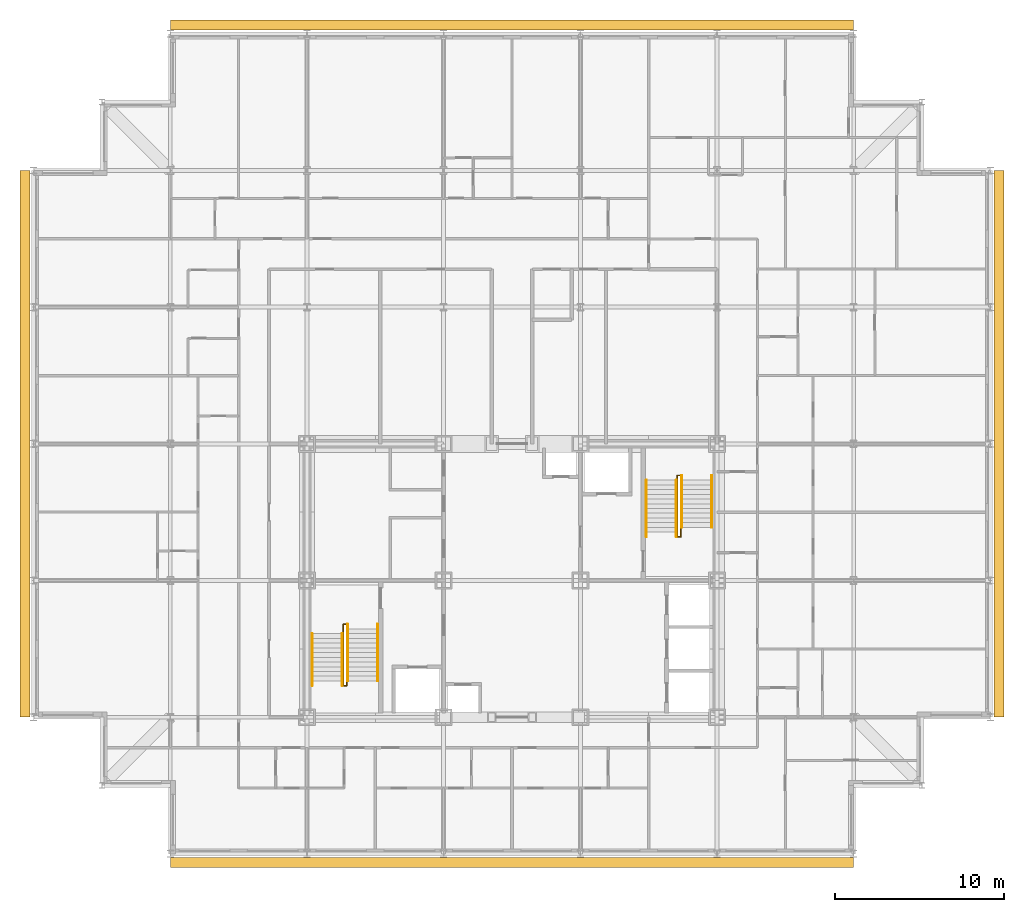
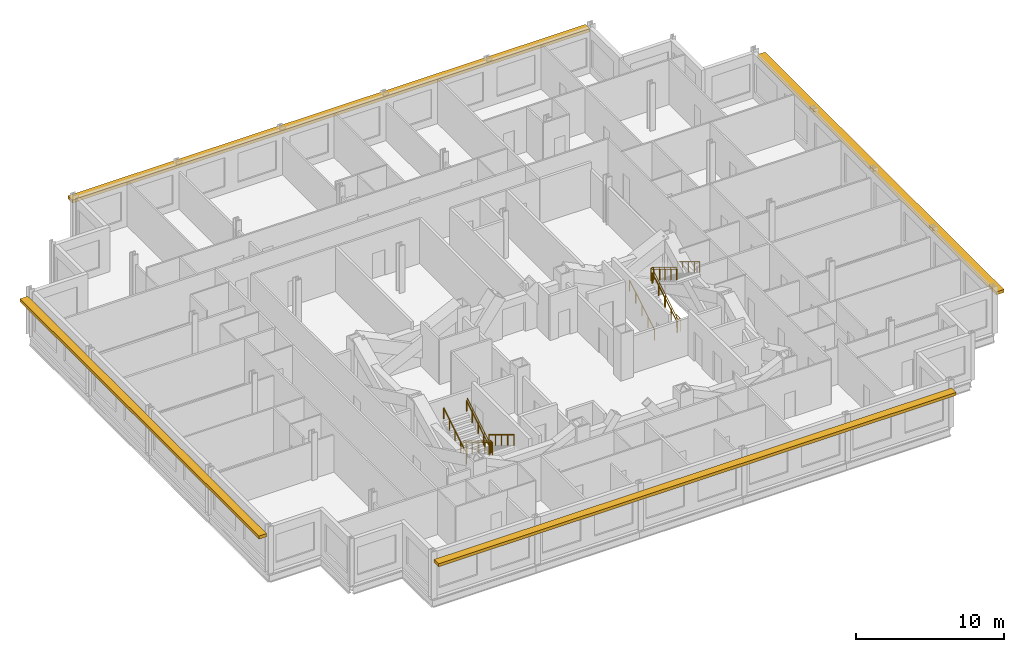
# One storey, part 15 of 15: 10 railings, 4 shading devices.
"""IFC4 building model written with IfcOpenShell, lengths in metres."""

from ifc_helpers import new_model, si_unit, direction, frame, origin, origin_2d, place, context, subcontext, project, spatial, rectangle, circle, extrude, material, type_object, element, save


model = new_model("IFC4")

# Units and contexts
model_context = context("Model", 3, precision=1e-05, world=origin(), true_north=direction((0.0, 1.0)))
body_context = subcontext(model_context, "Body", "Model", "MODEL_VIEW")
ifc_project = project(units=[si_unit("LENGTHUNIT", "METRE"), si_unit("AREAUNIT", "SQUARE_METRE"), si_unit("VOLUMEUNIT", "CUBIC_METRE"), si_unit("PLANEANGLEUNIT", "RADIAN"), si_unit("MASSUNIT", "GRAM", prefix="KILO")], contexts=[model_context])

# Site, building, storey
site_placement = place(None, origin())
site = spatial("IfcSite", under=ifc_project, at=site_placement, CompositionType="ELEMENT")
building_placement = place(site_placement, origin())
building = spatial("IfcBuilding", under=site, at=building_placement, Name="Kopane Lantern Tower", CompositionType="ELEMENT")
storey_placement = place(building_placement, frame((0.0, 0.0, 254.10009765625)))
storey = spatial("IfcBuildingStorey", under=building, at=storey_placement, Name="L65", CompositionType="ELEMENT", Elevation=254.10009765625)

# Railings
ifc_material_1 = material(Name="Steel", Category="steel")
railing_type_1 = type_object("IfcRailingType", Name="STAIR GUARD 1100", PredefinedType="GUARDRAIL", material=ifc_material_1)
railing_1_placement = place(storey_placement, frame((18.35009765625, 29.25, 0.0)))
element("IfcRailing", 1, at=railing_1_placement, inside=storey, type_object=railing_type_1, Name="ST1 well guard L65", PredefinedType="GUARDRAIL", context=body_context, shape_type="SweptSolid", body=[
    extrude(circle(Radius=0.02392578125, at=origin_2d()), frame((0.0, 0.0, 1.076171875), z_axis=(0.0, 1.0, 0.0), x_axis=(-1.0, 0.0, 0.0)), (0.0, 0.0, 1.0), 0.56005859375),
    extrude(circle(Radius=0.02392578125, at=origin_2d()), frame((0.0, 0.56005859375, 1.076171875), z_axis=(1.0, 0.0, 0.0), x_axis=(0.0, 1.0, 0.0)), (0.0, 0.0, 1.0), 0.199951171875),
    extrude(circle(Radius=0.02392578125, at=origin_2d()), frame((0.199951171875, 0.56005859375, 1.076171875), z_axis=(0.0, -0.85539645441, 0.517973846621), x_axis=(1.0, 0.0, 0.0)), (0.0, 0.0, 1.0), 3.92822265625),
    extrude(circle(Radius=0.02392578125, at=origin_2d()), frame((0.199951171875, -2.800048828125, 3.11083984375), z_axis=(0.0, -1.0, 0.0), x_axis=(1.0, 0.0, 0.0)), (0.0, 0.0, 1.0), 0.280029296875),
    extrude(circle(Radius=0.02392578125, at=origin_2d()), frame((0.199951171875, -3.080078125, 3.11083984375), z_axis=(-1.0, 0.0, 0.0), x_axis=(0.0, -1.0, 0.0)), (0.0, 0.0, 1.0), 0.199951171875),
    extrude(circle(Radius=0.02392578125, at=origin_2d()), frame((0.0, -3.080078125, 3.11083984375), z_axis=(0.0, 0.855379917629, 0.518001154937), x_axis=(-1.0, 0.0, 0.0)), (0.0, 0.0, 1.0), 3.600830078125),
    extrude(circle(Radius=0.02099609375, at=origin_2d()), origin(), (0.0, 0.0, 1.0), 1.052001953125),
    extrude(circle(Radius=0.02099609375, at=origin_2d()), frame((0.0, 0.56005859375, 0.0)), (0.0, 0.0, 1.0), 1.052001953125),
    extrude(circle(Radius=0.02099609375, at=origin_2d()), frame((0.199951171875, 0.56005859375, 0.0)), (0.0, 0.0, 1.0), 1.052001953125),
    extrude(circle(Radius=0.02099609375, at=origin_2d()), frame((0.199951171875, -0.280029296875, 0.5087890625)), (0.0, 0.0, 1.0), 1.052001953125),
    extrude(circle(Radius=0.02099609375, at=origin_2d()), frame((0.199951171875, -1.1201171875, 1.017333984375)), (0.0, 0.0, 1.0), 1.052001953125),
    extrude(circle(Radius=0.02099609375, at=origin_2d()), frame((0.199951171875, -1.9599609375, 1.52587890625)), (0.0, 0.0, 1.0), 1.052001953125),
    extrude(circle(Radius=0.02099609375, at=origin_2d()), frame((0.199951171875, -2.800048828125, 2.03466796875)), (0.0, 0.0, 1.0), 1.052001953125),
    extrude(circle(Radius=0.02099609375, at=origin_2d()), frame((0.199951171875, -3.080078125, 2.03466796875)), (0.0, 0.0, 1.0), 1.052001953125),
    extrude(circle(Radius=0.02099609375, at=origin_2d()), frame((0.0, -3.080078125, 2.03466796875)), (0.0, 0.0, 1.0), 1.052001953125),
    extrude(circle(Radius=0.02099609375, at=origin_2d()), frame((0.0, -2.31005859375, 2.5009765625)), (0.0, 0.0, 1.0), 1.052001953125),
    extrude(circle(Radius=0.02099609375, at=origin_2d()), frame((0.0, -1.5400390625, 2.96728515625)), (0.0, 0.0, 1.0), 1.052001953125),
    extrude(circle(Radius=0.02099609375, at=origin_2d()), frame((0.0, -0.77001953125, 3.43359375)), (0.0, 0.0, 1.0), 1.052001953125),
    extrude(circle(Radius=0.02099609375, at=origin_2d()), frame((0.0, 0.0, 3.89990234375)), (0.0, 0.0, 1.0), 1.052001953125),
])
railing_2_placement = place(storey_placement, frame((38.35009765625, 35.550048828125, 0.0)))
element("IfcRailing", 2, at=railing_2_placement, inside=storey, type_object=railing_type_1, Name="ST2 well guard L65", PredefinedType="GUARDRAIL", context=body_context, shape_type="SweptSolid", body=[
    extrude(circle(Radius=0.02392578125, at=origin_2d()), frame((0.0, 0.0, 1.076171875), z_axis=(0.0, -1.0, 0.0), x_axis=(1.0, 0.0, 0.0)), (0.0, 0.0, 1.0), 0.56005859375),
    extrude(circle(Radius=0.02392578125, at=origin_2d()), frame((0.0, -0.56005859375, 1.076171875), z_axis=(-1.0, 0.0, 0.0), x_axis=(0.0, -1.0, 0.0)), (0.0, 0.0, 1.0), 0.2001953125),
    extrude(circle(Radius=0.02392578125, at=origin_2d()), frame((-0.2001953125, -0.56005859375, 1.076171875), z_axis=(0.0, 0.85539645441, 0.517973846621), x_axis=(-1.0, 0.0, 0.0)), (0.0, 0.0, 1.0), 3.92822265625),
    extrude(circle(Radius=0.02392578125, at=origin_2d()), frame((-0.2001953125, 2.800048828125, 3.11083984375), z_axis=(0.0, 1.0, 0.0), x_axis=(-1.0, 0.0, 0.0)), (0.0, 0.0, 1.0), 0.27978515625),
    extrude(circle(Radius=0.02392578125, at=origin_2d()), frame((-0.2001953125, 3.079833984375, 3.11083984375), z_axis=(1.0, 0.0, 0.0), x_axis=(0.0, 1.0, 0.0)), (0.0, 0.0, 1.0), 0.2001953125),
    extrude(circle(Radius=0.02392578125, at=origin_2d()), frame((0.0, 3.079833984375, 3.11083984375), z_axis=(0.0, -0.855361723277, 0.518031198243), x_axis=(1.0, 0.0, 0.0)), (0.0, 0.0, 1.0), 3.6005859375),
    extrude(circle(Radius=0.02099609375, at=origin_2d()), origin(), (0.0, 0.0, 1.0), 1.052001953125),
    extrude(circle(Radius=0.02099609375, at=origin_2d()), frame((0.0, -0.56005859375, 0.0)), (0.0, 0.0, 1.0), 1.052001953125),
    extrude(circle(Radius=0.02099609375, at=origin_2d()), frame((-0.2001953125, -0.56005859375, 0.0)), (0.0, 0.0, 1.0), 1.052001953125),
    extrude(circle(Radius=0.02099609375, at=origin_2d()), frame((-0.2001953125, 0.280029296875, 0.5087890625)), (0.0, 0.0, 1.0), 1.052001953125),
    extrude(circle(Radius=0.02099609375, at=origin_2d()), frame((-0.2001953125, 1.1201171875, 1.017333984375)), (0.0, 0.0, 1.0), 1.052001953125),
    extrude(circle(Radius=0.02099609375, at=origin_2d()), frame((-0.2001953125, 1.9599609375, 1.52587890625)), (0.0, 0.0, 1.0), 1.052001953125),
    extrude(circle(Radius=0.02099609375, at=origin_2d()), frame((-0.2001953125, 2.800048828125, 2.03466796875)), (0.0, 0.0, 1.0), 1.052001953125),
    extrude(circle(Radius=0.02099609375, at=origin_2d()), frame((-0.2001953125, 3.079833984375, 2.03466796875)), (0.0, 0.0, 1.0), 1.052001953125),
    extrude(circle(Radius=0.02099609375, at=origin_2d()), frame((0.0, 3.079833984375, 2.03466796875)), (0.0, 0.0, 1.0), 1.052001953125),
    extrude(circle(Radius=0.02099609375, at=origin_2d()), frame((0.0, 2.309814453125, 2.5009765625)), (0.0, 0.0, 1.0), 1.052001953125),
    extrude(circle(Radius=0.02099609375, at=origin_2d()), frame((0.0, 1.5400390625, 2.96728515625)), (0.0, 0.0, 1.0), 1.052001953125),
    extrude(circle(Radius=0.02099609375, at=origin_2d()), frame((0.0, 0.77001953125, 3.43359375)), (0.0, 0.0, 1.0), 1.052001953125),
    extrude(circle(Radius=0.02099609375, at=origin_2d()), frame((0.0, 0.0, 3.89990234375)), (0.0, 0.0, 1.0), 1.052001953125),
])
ifc_material_2 = material(Name="Steel", Category="steel")
railing_type_2 = type_object("IfcRailingType", Name="STAIR HANDRAIL 900", PredefinedType="HANDRAIL", material=ifc_material_2)
for number, where, name in (
    (3, (20.389892578125, 29.81005859375, 0.0), "ST1 handrail L65 flight 1"),
    (4, (18.610107421875, 29.81005859375, 0.0), "ST1 handrail L65 flight 1"),
):
    element("IfcRailing", number, at=place(storey_placement, frame(where)), inside=storey, type_object=railing_type_2, Name=name, PredefinedType="HANDRAIL", context=body_context, shape_type="SweptSolid", body=[
        extrude(circle(Radius=0.02392578125, at=origin_2d()), frame((0.0, 0.0, 0.8759765625), z_axis=(0.0, -0.85539645441, 0.517973846621), x_axis=(1.0, 0.0, 0.0)), (0.0, 0.0, 1.0), 3.92822265625),
        extrude(circle(Radius=0.02099609375, at=origin_2d()), origin(), (0.0, 0.0, 1.0), 0.851806640625),
        extrude(circle(Radius=0.02099609375, at=origin_2d()), frame((0.0, -0.840087890625, 0.5087890625)), (0.0, 0.0, 1.0), 0.851806640625),
        extrude(circle(Radius=0.02099609375, at=origin_2d()), frame((0.0, -1.68017578125, 1.017333984375)), (0.0, 0.0, 1.0), 0.851806640625),
        extrude(circle(Radius=0.02099609375, at=origin_2d()), frame((0.0, -2.52001953125, 1.52587890625)), (0.0, 0.0, 1.0), 0.851806640625),
        extrude(circle(Radius=0.02099609375, at=origin_2d()), frame((0.0, -3.360107421875, 2.03466796875)), (0.0, 0.0, 1.0), 0.851806640625),
    ])
for number, where, name in (
    (5, (16.510009765625, 26.169921875, 2.03466796875), "ST1 handrail L65 flight 2"),
    (6, (18.2900390625, 26.169921875, 2.03466796875), "ST1 handrail L65 flight 2"),
):
    element("IfcRailing", number, at=place(storey_placement, frame(where)), inside=storey, type_object=railing_type_2, Name=name, PredefinedType="HANDRAIL", context=body_context, shape_type="SweptSolid", body=[
        extrude(circle(Radius=0.02392578125, at=origin_2d()), frame((0.0, 0.0, 0.8759765625), z_axis=(0.0, 0.855379917629, 0.518001154937), x_axis=(-1.0, 0.0, 0.0)), (0.0, 0.0, 1.0), 3.600830078125),
        extrude(circle(Radius=0.02099609375, at=origin_2d()), origin(), (0.0, 0.0, 1.0), 0.851806640625),
        extrude(circle(Radius=0.02099609375, at=origin_2d()), frame((0.0, 0.77001953125, 0.46630859375)), (0.0, 0.0, 1.0), 0.851806640625),
        extrude(circle(Radius=0.02099609375, at=origin_2d()), frame((0.0, 1.5400390625, 0.9326171875)), (0.0, 0.0, 1.0), 0.851806640625),
        extrude(circle(Radius=0.02099609375, at=origin_2d()), frame((0.0, 2.31005859375, 1.39892578125)), (0.0, 0.0, 1.0), 0.851806640625),
        extrude(circle(Radius=0.02099609375, at=origin_2d()), frame((0.0, 3.080078125, 1.865234375)), (0.0, 0.0, 1.0), 0.851806640625),
    ])
for number, where, name in (
    (7, (36.31005859375, 34.989990234375, 0.0), "ST2 handrail L65 flight 1"),
    (8, (38.090087890625, 34.989990234375, 0.0), "ST2 handrail L65 flight 1"),
):
    element("IfcRailing", number, at=place(storey_placement, frame(where)), inside=storey, type_object=railing_type_2, Name=name, PredefinedType="HANDRAIL", context=body_context, shape_type="SweptSolid", body=[
        extrude(circle(Radius=0.02392578125, at=origin_2d()), frame((0.0, 0.0, 0.8759765625), z_axis=(0.0, 0.85539645441, 0.517973846621), x_axis=(-1.0, 0.0, 0.0)), (0.0, 0.0, 1.0), 3.92822265625),
        extrude(circle(Radius=0.02099609375, at=origin_2d()), origin(), (0.0, 0.0, 1.0), 0.851806640625),
        extrude(circle(Radius=0.02099609375, at=origin_2d()), frame((0.0, 0.840087890625, 0.5087890625)), (0.0, 0.0, 1.0), 0.851806640625),
        extrude(circle(Radius=0.02099609375, at=origin_2d()), frame((0.0, 1.68017578125, 1.017333984375)), (0.0, 0.0, 1.0), 0.851806640625),
        extrude(circle(Radius=0.02099609375, at=origin_2d()), frame((0.0, 2.52001953125, 1.52587890625)), (0.0, 0.0, 1.0), 0.851806640625),
        extrude(circle(Radius=0.02099609375, at=origin_2d()), frame((0.0, 3.360107421875, 2.03466796875)), (0.0, 0.0, 1.0), 0.851806640625),
    ])
for number, where, name in (
    (9, (40.18994140625, 38.6298828125, 2.03466796875), "ST2 handrail L65 flight 2"),
    (10, (38.409912109375, 38.6298828125, 2.03466796875), "ST2 handrail L65 flight 2"),
):
    element("IfcRailing", number, at=place(storey_placement, frame(where)), inside=storey, type_object=railing_type_2, Name=name, PredefinedType="HANDRAIL", context=body_context, shape_type="SweptSolid", body=[
        extrude(circle(Radius=0.02392578125, at=origin_2d()), frame((0.0, 0.0, 0.8759765625), z_axis=(0.0, -0.855361723277, 0.518031198243), x_axis=(1.0, 0.0, 0.0)), (0.0, 0.0, 1.0), 3.6005859375),
        extrude(circle(Radius=0.02099609375, at=origin_2d()), origin(), (0.0, 0.0, 1.0), 0.851806640625),
        extrude(circle(Radius=0.02099609375, at=origin_2d()), frame((0.0, -0.77001953125, 0.46630859375)), (0.0, 0.0, 1.0), 0.851806640625),
        extrude(circle(Radius=0.02099609375, at=origin_2d()), frame((0.0, -1.5400390625, 0.9326171875)), (0.0, 0.0, 1.0), 0.851806640625),
        extrude(circle(Radius=0.02099609375, at=origin_2d()), frame((0.0, -2.309814453125, 1.39892578125)), (0.0, 0.0, 1.0), 0.851806640625),
        extrude(circle(Radius=0.02099609375, at=origin_2d()), frame((0.0, -3.079833984375, 1.865234375)), (0.0, 0.0, 1.0), 0.851806640625),
    ])

# Shading devices
ifc_material_3 = material(Name="Terracotta rainscreen on light steel framing", Category="masonry")
shading_device_type = type_object("IfcShadingDeviceType", Name="SUNSHADE BAND SB1 600 TERRACOTTA", PredefinedType="USERDEFINED", material=ifc_material_3)
shading_device_1_placement = place(storey_placement, frame((28.35009765625, 15.681640625, 3.0), z_axis=(0.0, 0.0, 1.0), x_axis=(1.0, 0.0, 0.0)))
element("IfcShadingDevice", 11, at=shading_device_1_placement, inside=storey, type_object=shading_device_type, Name="Sunshade band S L65", ObjectType="SUNSHADE BAND", PredefinedType="USERDEFINED", context=body_context, shape_type="SweptSolid", body=[
    extrude(rectangle(XDim=40.5, YDim=0.60009765625, at=origin_2d()), origin(), (0.0, 0.0, 1.0), 0.25),
])
shading_device_2_placement = place(storey_placement, frame((57.2060546875, 40.5, 3.0), z_axis=(0.0, 0.0, 1.0), x_axis=(0.0, 1.0, 0.0)))
element("IfcShadingDevice", 12, at=shading_device_2_placement, inside=storey, type_object=shading_device_type, Name="Sunshade band E L65", ObjectType="SUNSHADE BAND", PredefinedType="USERDEFINED", context=body_context, shape_type="SweptSolid", body=[
    extrude(rectangle(XDim=32.39990234375, YDim=0.60009765625, at=origin_2d()), origin(), (0.0, 0.0, 1.0), 0.25),
])
shading_device_3_placement = place(storey_placement, frame((28.35009765625, 65.318359375, 3.0), z_axis=(0.0, 0.0, 1.0), x_axis=(-1.0, 0.0, 0.0)))
element("IfcShadingDevice", 13, at=shading_device_3_placement, inside=storey, type_object=shading_device_type, Name="Sunshade band N L65", ObjectType="SUNSHADE BAND", PredefinedType="USERDEFINED", context=body_context, shape_type="SweptSolid", body=[
    extrude(rectangle(XDim=40.5, YDim=0.60009765625, at=origin_2d()), origin(), (0.0, 0.0, 1.0), 0.25),
])
shading_device_4_placement = place(storey_placement, frame((-0.506103515625, 40.5, 3.0), z_axis=(0.0, 0.0, 1.0), x_axis=(0.0, -1.0, 0.0)))
element("IfcShadingDevice", 14, at=shading_device_4_placement, inside=storey, type_object=shading_device_type, Name="Sunshade band W L65", ObjectType="SUNSHADE BAND", PredefinedType="USERDEFINED", context=body_context, shape_type="SweptSolid", body=[
    extrude(rectangle(XDim=32.39990234375, YDim=0.60009765625, at=origin_2d()), origin(), (0.0, 0.0, 1.0), 0.25),
])

save(model, "model.ifc")
